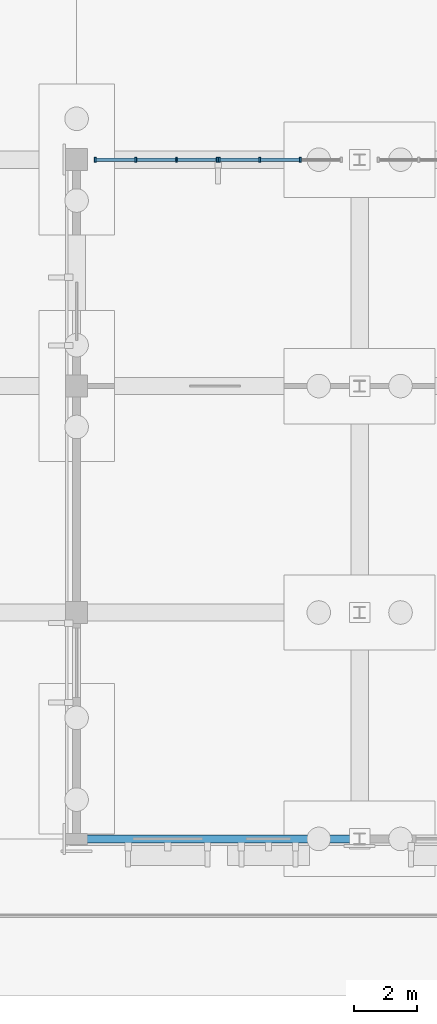
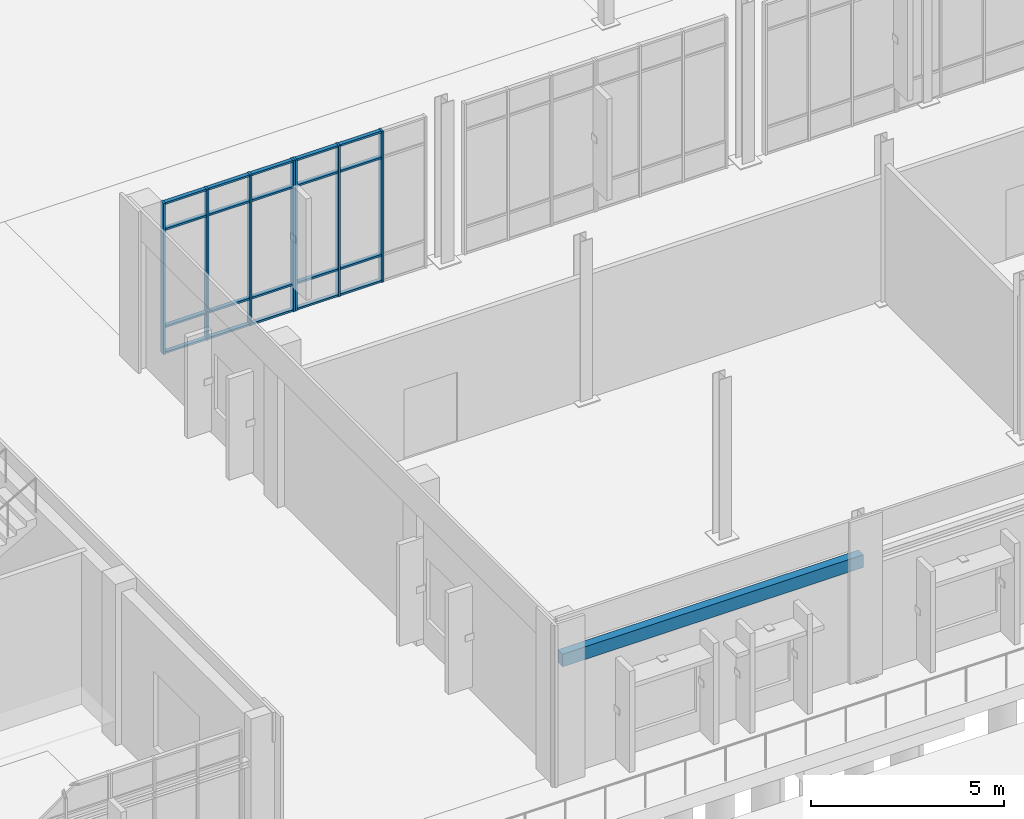
# One storey, part 33 of 94: 27 members, 1 beam, 2 elements without a shape of their own.
"""IFC4 building model written with IfcOpenShell, lengths in metres."""

from ifc_helpers import new_model, si_unit, direction, frame, origin, origin_2d, place, context, subcontext, project, spatial, rectangle, extrude, material, material_profile, profile_set, type_object, element, aggregate, save


model = new_model("IFC4")

# Units and contexts
model_context = context("Model", 3, precision=1e-05, world=origin(), true_north=direction((0.0, 1.0)))
body_context = subcontext(model_context, "Body", "Model", "MODEL_VIEW")
ifc_project = project(units=[si_unit("LENGTHUNIT", "METRE"), si_unit("AREAUNIT", "SQUARE_METRE"), si_unit("VOLUMEUNIT", "CUBIC_METRE"), si_unit("PLANEANGLEUNIT", "RADIAN"), si_unit("MASSUNIT", "GRAM", prefix="KILO")], contexts=[model_context])

# Site, building, storey
site_placement = place(None, origin())
site = spatial("IfcSite", under=ifc_project, at=site_placement, CompositionType="ELEMENT")
building_placement = place(site_placement, origin())
building = spatial("IfcBuilding", under=site, at=building_placement, Name="Vervanel Yard Central Library", CompositionType="ELEMENT")
storey_placement = place(building_placement, origin())
storey = spatial("IfcBuildingStorey", under=building, at=storey_placement, Name="L00", CompositionType="ELEMENT", Elevation=0.0)

# Curtain wall, members
ifc_material_1 = material(Name="Thermally broken anodized aluminium 6063-T6", Category="aluminium")
curtain_wall_type = type_object("IfcCurtainWallType", Name="Children's Courtyard Curtain Wall", PredefinedType="NOTDEFINED", material=ifc_material_1)
curtain_wall_1_placement = place(storey_placement, origin())
curtain_wall_1 = element("IfcCurtainWall", 1, at=curtain_wall_1_placement, inside=storey, type_object=curtain_wall_type, Name="L00 Children's Courtyard Curtain Wall CWR-L00-154", PredefinedType="NOTDEFINED")
ifc_material_profile_1 = material_profile(ifc_material_1, rectangle(XDim=0.06005859375, YDim=0.159912109375, at=origin_2d()), Name="ALU 60x160", Category="aluminium")
ifc_profile_set_1 = profile_set([ifc_material_profile_1], Name="Thermally broken anodized aluminium 6063-T6")
member_type_1 = type_object("IfcMemberType", Name="Bridge & Courtyard Mullion 60x160", PredefinedType="MULLION", material=ifc_profile_set_1)
member_1_placement = place(storey_placement, frame((54.590087890625, 21.60009765625, 0.0), z_axis=(0.0, 0.0, 1.0), x_axis=(1.0, 0.0, 0.0)))
member_1 = element("IfcMember", 2, at=member_1_placement, type_object=member_type_1, Name="CWR-L00-154 Mullion 1", PredefinedType="MULLION", context=body_context, shape_type="SweptSolid", body=[
    extrude(rectangle(XDim=0.06005859375, YDim=0.159912109375, at=origin_2d()), origin(), (0.0, 0.0, 1.0), 4.780029296875),
])
member_2_placement = place(storey_placement, frame((55.88330078125, 21.60009765625, 0.0), z_axis=(0.0, 0.0, 1.0), x_axis=(1.0, 0.0, 0.0)))
member_2 = element("IfcMember", 3, at=member_2_placement, type_object=member_type_1, Name="CWR-L00-154 Mullion 2", PredefinedType="MULLION", context=body_context, shape_type="SweptSolid", body=[
    extrude(rectangle(XDim=0.06005859375, YDim=0.159912109375, at=origin_2d()), origin(), (0.0, 0.0, 1.0), 4.780029296875),
])
member_3_placement = place(storey_placement, frame((57.1767578125, 21.60009765625, 0.0), z_axis=(0.0, 0.0, 1.0), x_axis=(1.0, 0.0, 0.0)))
member_3 = element("IfcMember", 4, at=member_3_placement, type_object=member_type_1, Name="CWR-L00-154 Mullion 3", PredefinedType="MULLION", context=body_context, shape_type="SweptSolid", body=[
    extrude(rectangle(XDim=0.06005859375, YDim=0.159912109375, at=origin_2d()), origin(), (0.0, 0.0, 1.0), 4.780029296875),
])
member_4_placement = place(storey_placement, frame((58.469970703125, 21.60009765625, 0.0), z_axis=(0.0, 0.0, 1.0), x_axis=(1.0, 0.0, 0.0)))
member_4 = element("IfcMember", 5, at=member_4_placement, type_object=member_type_1, Name="CWR-L00-154 Mullion 4", PredefinedType="MULLION", context=body_context, shape_type="SweptSolid", body=[
    extrude(rectangle(XDim=0.06005859375, YDim=0.159912109375, at=origin_2d()), origin(), (0.0, 0.0, 1.0), 4.780029296875),
])

curtain_wall_2_placement = place(storey_placement, origin())
curtain_wall_2 = element("IfcCurtainWall", 6, at=curtain_wall_2_placement, inside=storey, type_object=curtain_wall_type, Name="L00 Children's Courtyard Curtain Wall CWR-L00-155", PredefinedType="NOTDEFINED")
member_5_placement = place(storey_placement, frame((58.530029296875, 21.60009765625, 0.0), z_axis=(0.0, 0.0, 1.0), x_axis=(1.0, 0.0, 0.0)))
member_5 = element("IfcMember", 7, at=member_5_placement, type_object=member_type_1, Name="CWR-L00-155 Mullion 1", PredefinedType="MULLION", context=body_context, shape_type="SweptSolid", body=[
    extrude(rectangle(XDim=0.06005859375, YDim=0.159912109375, at=origin_2d()), origin(), (0.0, 0.0, 1.0), 4.780029296875),
])
member_6_placement = place(storey_placement, frame((59.8232421875, 21.60009765625, 0.0), z_axis=(0.0, 0.0, 1.0), x_axis=(1.0, 0.0, 0.0)))
member_6 = element("IfcMember", 8, at=member_6_placement, type_object=member_type_1, Name="CWR-L00-155 Mullion 2", PredefinedType="MULLION", context=body_context, shape_type="SweptSolid", body=[
    extrude(rectangle(XDim=0.06005859375, YDim=0.159912109375, at=origin_2d()), origin(), (0.0, 0.0, 1.0), 4.780029296875),
])
member_7_placement = place(storey_placement, frame((61.11669921875, 21.60009765625, 0.0), z_axis=(0.0, 0.0, 1.0), x_axis=(1.0, 0.0, 0.0)))
member_7 = element("IfcMember", 9, at=member_7_placement, type_object=member_type_1, Name="CWR-L00-155 Mullion 3", PredefinedType="MULLION", context=body_context, shape_type="SweptSolid", body=[
    extrude(rectangle(XDim=0.06005859375, YDim=0.159912109375, at=origin_2d()), origin(), (0.0, 0.0, 1.0), 4.780029296875),
])

# Member
ifc_material_profile_2 = material_profile(ifc_material_1, rectangle(XDim=0.06005859375, YDim=0.1201171875, at=origin_2d()), Name="ALU 60x120", Category="aluminium")
ifc_profile_set_2 = profile_set([ifc_material_profile_2], Name="Thermally broken anodized aluminium 6063-T6")
member_type_2 = type_object("IfcMemberType", Name="Bridge & Courtyard Transom 60x120", PredefinedType="NOTDEFINED", material=ifc_profile_set_2)
member_8_placement = place(storey_placement, frame((54.6201171875, 21.60009765625, 0.030029296875), z_axis=(1.0, 0.0, 0.0), x_axis=(0.0, 0.0, 1.0)))
member_8 = element("IfcMember", 10, at=member_8_placement, type_object=member_type_2, Name="CWR-L00-154 Transom B1-T1", ObjectType="TRANSOM", PredefinedType="USERDEFINED", context=body_context, shape_type="SweptSolid", body=[
    extrude(rectangle(XDim=0.06005859375, YDim=0.1201171875, at=origin_2d()), origin(), (0.0, 0.0, 1.0), 1.233154296875),
])

member_9_placement = place(storey_placement, frame((54.6201171875, 21.60009765625, 0.85009765625), z_axis=(1.0, 0.0, 0.0), x_axis=(0.0, 0.0, 1.0)))
member_9 = element("IfcMember", 11, at=member_9_placement, type_object=member_type_2, Name="CWR-L00-154 Transom B1-T2", ObjectType="TRANSOM", PredefinedType="USERDEFINED", context=body_context, shape_type="SweptSolid", body=[
    extrude(rectangle(XDim=0.06005859375, YDim=0.1201171875, at=origin_2d()), origin(), (0.0, 0.0, 1.0), 1.233154296875),
])

member_10_placement = place(storey_placement, frame((54.6201171875, 21.60009765625, 3.929931640625), z_axis=(1.0, 0.0, 0.0), x_axis=(0.0, 0.0, 1.0)))
member_10 = element("IfcMember", 12, at=member_10_placement, type_object=member_type_2, Name="CWR-L00-154 Transom B1-T3", ObjectType="TRANSOM", PredefinedType="USERDEFINED", context=body_context, shape_type="SweptSolid", body=[
    extrude(rectangle(XDim=0.06005859375, YDim=0.1201171875, at=origin_2d()), origin(), (0.0, 0.0, 1.0), 1.233154296875),
])

member_11_placement = place(storey_placement, frame((54.6201171875, 21.60009765625, 4.75), z_axis=(1.0, 0.0, 0.0), x_axis=(0.0, 0.0, 1.0)))
member_11 = element("IfcMember", 13, at=member_11_placement, type_object=member_type_2, Name="CWR-L00-154 Transom B1-T4", ObjectType="TRANSOM", PredefinedType="USERDEFINED", context=body_context, shape_type="SweptSolid", body=[
    extrude(rectangle(XDim=0.06005859375, YDim=0.1201171875, at=origin_2d()), origin(), (0.0, 0.0, 1.0), 1.233154296875),
])

member_12_placement = place(storey_placement, frame((55.913330078125, 21.60009765625, 0.030029296875), z_axis=(1.0, 0.0, 0.0), x_axis=(0.0, 0.0, 1.0)))
member_12 = element("IfcMember", 14, at=member_12_placement, type_object=member_type_2, Name="CWR-L00-154 Transom B2-T1", ObjectType="TRANSOM", PredefinedType="USERDEFINED", context=body_context, shape_type="SweptSolid", body=[
    extrude(rectangle(XDim=0.06005859375, YDim=0.1201171875, at=origin_2d()), origin(), (0.0, 0.0, 1.0), 1.2333984375),
])

member_13_placement = place(storey_placement, frame((55.913330078125, 21.60009765625, 0.85009765625), z_axis=(1.0, 0.0, 0.0), x_axis=(0.0, 0.0, 1.0)))
member_13 = element("IfcMember", 15, at=member_13_placement, type_object=member_type_2, Name="CWR-L00-154 Transom B2-T2", ObjectType="TRANSOM", PredefinedType="USERDEFINED", context=body_context, shape_type="SweptSolid", body=[
    extrude(rectangle(XDim=0.06005859375, YDim=0.1201171875, at=origin_2d()), origin(), (0.0, 0.0, 1.0), 1.2333984375),
])

member_14_placement = place(storey_placement, frame((55.913330078125, 21.60009765625, 3.929931640625), z_axis=(1.0, 0.0, 0.0), x_axis=(0.0, 0.0, 1.0)))
member_14 = element("IfcMember", 16, at=member_14_placement, type_object=member_type_2, Name="CWR-L00-154 Transom B2-T3", ObjectType="TRANSOM", PredefinedType="USERDEFINED", context=body_context, shape_type="SweptSolid", body=[
    extrude(rectangle(XDim=0.06005859375, YDim=0.1201171875, at=origin_2d()), origin(), (0.0, 0.0, 1.0), 1.2333984375),
])

member_15_placement = place(storey_placement, frame((55.913330078125, 21.60009765625, 4.75), z_axis=(1.0, 0.0, 0.0), x_axis=(0.0, 0.0, 1.0)))
member_15 = element("IfcMember", 17, at=member_15_placement, type_object=member_type_2, Name="CWR-L00-154 Transom B2-T4", ObjectType="TRANSOM", PredefinedType="USERDEFINED", context=body_context, shape_type="SweptSolid", body=[
    extrude(rectangle(XDim=0.06005859375, YDim=0.1201171875, at=origin_2d()), origin(), (0.0, 0.0, 1.0), 1.2333984375),
])

member_16_placement = place(storey_placement, frame((57.206787109375, 21.60009765625, 0.030029296875), z_axis=(1.0, 0.0, 0.0), x_axis=(0.0, 0.0, 1.0)))
member_16 = element("IfcMember", 18, at=member_16_placement, type_object=member_type_2, Name="CWR-L00-154 Transom B3-T1", ObjectType="TRANSOM", PredefinedType="USERDEFINED", context=body_context, shape_type="SweptSolid", body=[
    extrude(rectangle(XDim=0.06005859375, YDim=0.1201171875, at=origin_2d()), origin(), (0.0, 0.0, 1.0), 1.233154296875),
])

member_17_placement = place(storey_placement, frame((57.206787109375, 21.60009765625, 0.85009765625), z_axis=(1.0, 0.0, 0.0), x_axis=(0.0, 0.0, 1.0)))
member_17 = element("IfcMember", 19, at=member_17_placement, type_object=member_type_2, Name="CWR-L00-154 Transom B3-T2", ObjectType="TRANSOM", PredefinedType="USERDEFINED", context=body_context, shape_type="SweptSolid", body=[
    extrude(rectangle(XDim=0.06005859375, YDim=0.1201171875, at=origin_2d()), origin(), (0.0, 0.0, 1.0), 1.233154296875),
])

member_18_placement = place(storey_placement, frame((57.206787109375, 21.60009765625, 3.929931640625), z_axis=(1.0, 0.0, 0.0), x_axis=(0.0, 0.0, 1.0)))
member_18 = element("IfcMember", 20, at=member_18_placement, type_object=member_type_2, Name="CWR-L00-154 Transom B3-T3", ObjectType="TRANSOM", PredefinedType="USERDEFINED", context=body_context, shape_type="SweptSolid", body=[
    extrude(rectangle(XDim=0.06005859375, YDim=0.1201171875, at=origin_2d()), origin(), (0.0, 0.0, 1.0), 1.233154296875),
])

member_19_placement = place(storey_placement, frame((57.206787109375, 21.60009765625, 4.75), z_axis=(1.0, 0.0, 0.0), x_axis=(0.0, 0.0, 1.0)))
member_19 = element("IfcMember", 21, at=member_19_placement, type_object=member_type_2, Name="CWR-L00-154 Transom B3-T4", ObjectType="TRANSOM", PredefinedType="USERDEFINED", context=body_context, shape_type="SweptSolid", body=[
    extrude(rectangle(XDim=0.06005859375, YDim=0.1201171875, at=origin_2d()), origin(), (0.0, 0.0, 1.0), 1.233154296875),
])

aggregate(curtain_wall_1, [member_1, member_2, member_3, member_4, member_8, member_9, member_10, member_11, member_12, member_13, member_14, member_15, member_16, member_17, member_18, member_19])

member_20_placement = place(storey_placement, frame((58.56005859375, 21.60009765625, 0.030029296875), z_axis=(1.0, 0.0, 0.0), x_axis=(0.0, 0.0, 1.0)))
member_20 = element("IfcMember", 22, at=member_20_placement, type_object=member_type_2, Name="CWR-L00-155 Transom B1-T1", ObjectType="TRANSOM", PredefinedType="USERDEFINED", context=body_context, shape_type="SweptSolid", body=[
    extrude(rectangle(XDim=0.06005859375, YDim=0.1201171875, at=origin_2d()), origin(), (0.0, 0.0, 1.0), 1.233154296875),
])

member_21_placement = place(storey_placement, frame((58.56005859375, 21.60009765625, 0.85009765625), z_axis=(1.0, 0.0, 0.0), x_axis=(0.0, 0.0, 1.0)))
member_21 = element("IfcMember", 23, at=member_21_placement, type_object=member_type_2, Name="CWR-L00-155 Transom B1-T2", ObjectType="TRANSOM", PredefinedType="USERDEFINED", context=body_context, shape_type="SweptSolid", body=[
    extrude(rectangle(XDim=0.06005859375, YDim=0.1201171875, at=origin_2d()), origin(), (0.0, 0.0, 1.0), 1.233154296875),
])

member_22_placement = place(storey_placement, frame((58.56005859375, 21.60009765625, 3.929931640625), z_axis=(1.0, 0.0, 0.0), x_axis=(0.0, 0.0, 1.0)))
member_22 = element("IfcMember", 24, at=member_22_placement, type_object=member_type_2, Name="CWR-L00-155 Transom B1-T3", ObjectType="TRANSOM", PredefinedType="USERDEFINED", context=body_context, shape_type="SweptSolid", body=[
    extrude(rectangle(XDim=0.06005859375, YDim=0.1201171875, at=origin_2d()), origin(), (0.0, 0.0, 1.0), 1.233154296875),
])

member_23_placement = place(storey_placement, frame((58.56005859375, 21.60009765625, 4.75), z_axis=(1.0, 0.0, 0.0), x_axis=(0.0, 0.0, 1.0)))
member_23 = element("IfcMember", 25, at=member_23_placement, type_object=member_type_2, Name="CWR-L00-155 Transom B1-T4", ObjectType="TRANSOM", PredefinedType="USERDEFINED", context=body_context, shape_type="SweptSolid", body=[
    extrude(rectangle(XDim=0.06005859375, YDim=0.1201171875, at=origin_2d()), origin(), (0.0, 0.0, 1.0), 1.233154296875),
])

member_24_placement = place(storey_placement, frame((59.853271484375, 21.60009765625, 0.030029296875), z_axis=(1.0, 0.0, 0.0), x_axis=(0.0, 0.0, 1.0)))
member_24 = element("IfcMember", 26, at=member_24_placement, type_object=member_type_2, Name="CWR-L00-155 Transom B2-T1", ObjectType="TRANSOM", PredefinedType="USERDEFINED", context=body_context, shape_type="SweptSolid", body=[
    extrude(rectangle(XDim=0.06005859375, YDim=0.1201171875, at=origin_2d()), origin(), (0.0, 0.0, 1.0), 1.2333984375),
])

member_25_placement = place(storey_placement, frame((59.853271484375, 21.60009765625, 0.85009765625), z_axis=(1.0, 0.0, 0.0), x_axis=(0.0, 0.0, 1.0)))
member_25 = element("IfcMember", 27, at=member_25_placement, type_object=member_type_2, Name="CWR-L00-155 Transom B2-T2", ObjectType="TRANSOM", PredefinedType="USERDEFINED", context=body_context, shape_type="SweptSolid", body=[
    extrude(rectangle(XDim=0.06005859375, YDim=0.1201171875, at=origin_2d()), origin(), (0.0, 0.0, 1.0), 1.2333984375),
])

member_26_placement = place(storey_placement, frame((59.853271484375, 21.60009765625, 3.929931640625), z_axis=(1.0, 0.0, 0.0), x_axis=(0.0, 0.0, 1.0)))
member_26 = element("IfcMember", 28, at=member_26_placement, type_object=member_type_2, Name="CWR-L00-155 Transom B2-T3", ObjectType="TRANSOM", PredefinedType="USERDEFINED", context=body_context, shape_type="SweptSolid", body=[
    extrude(rectangle(XDim=0.06005859375, YDim=0.1201171875, at=origin_2d()), origin(), (0.0, 0.0, 1.0), 1.2333984375),
])

member_27_placement = place(storey_placement, frame((59.853271484375, 21.60009765625, 4.75), z_axis=(1.0, 0.0, 0.0), x_axis=(0.0, 0.0, 1.0)))
member_27 = element("IfcMember", 29, at=member_27_placement, type_object=member_type_2, Name="CWR-L00-155 Transom B2-T4", ObjectType="TRANSOM", PredefinedType="USERDEFINED", context=body_context, shape_type="SweptSolid", body=[
    extrude(rectangle(XDim=0.06005859375, YDim=0.1201171875, at=origin_2d()), origin(), (0.0, 0.0, 1.0), 1.2333984375),
])

aggregate(curtain_wall_2, [member_5, member_6, member_7, member_20, member_21, member_22, member_23, member_24, member_25, member_26, member_27])

# Beam
ifc_material_2 = material(Name="Concrete C40/50", Category="concrete")
ifc_material_profile_3 = material_profile(ifc_material_2, rectangle(XDim=0.25, YDim=0.39990234375, at=origin_2d()), Name="RC 250x400", Category="concrete")
ifc_profile_set_3 = profile_set([ifc_material_profile_3], Name="Concrete C40/50")
beam_type = type_object("IfcBeamType", Name="Concrete Shutter Lintel 250x400", PredefinedType="LINTEL", material=ifc_profile_set_3)
beam_placement = place(storey_placement, frame((54.0, 0.0, 3.64990234375), z_axis=(1.0, 0.0, 0.0), x_axis=(0.0, 1.0, 0.0)))
element("IfcBeam", 30, at=beam_placement, inside=storey, type_object=beam_type, Name="L00 Portal Opening Lintel 9", PredefinedType="LINTEL", context=body_context, shape_type="SweptSolid", body=[
    extrude(rectangle(XDim=0.25, YDim=0.39990234375, at=origin_2d()), origin(), (0.0, 0.0, 1.0), 9.0),
])

save(model, "model.ifc")
